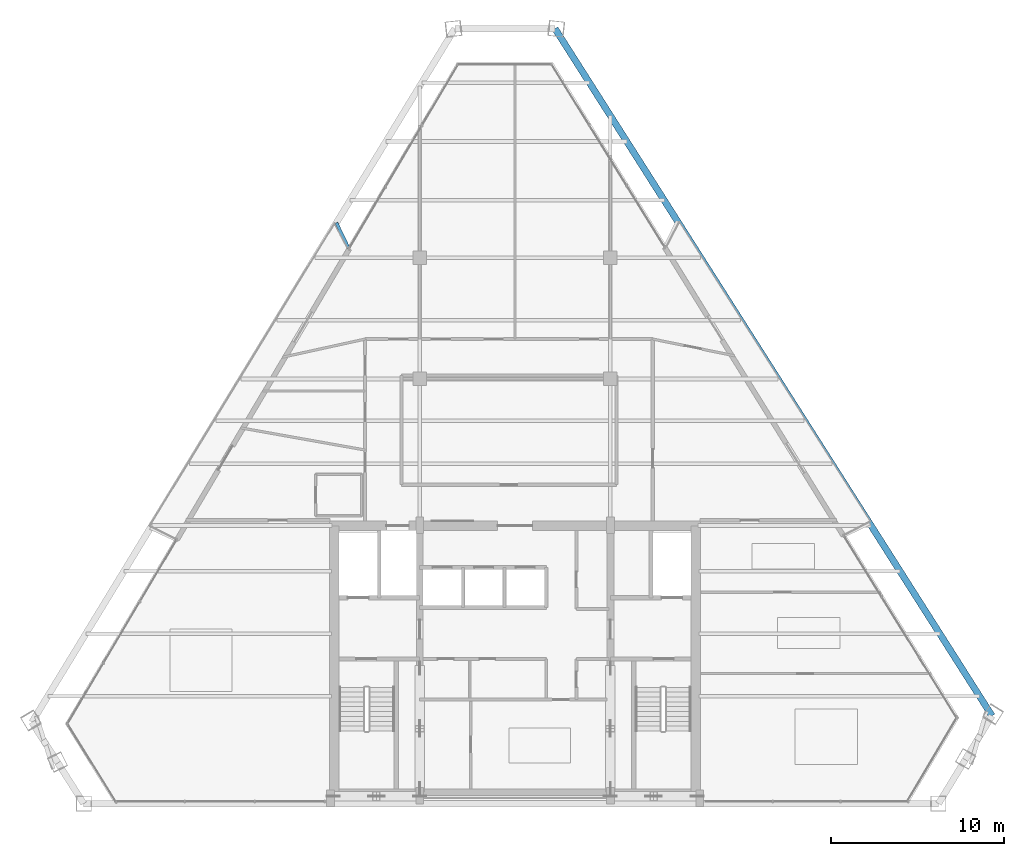
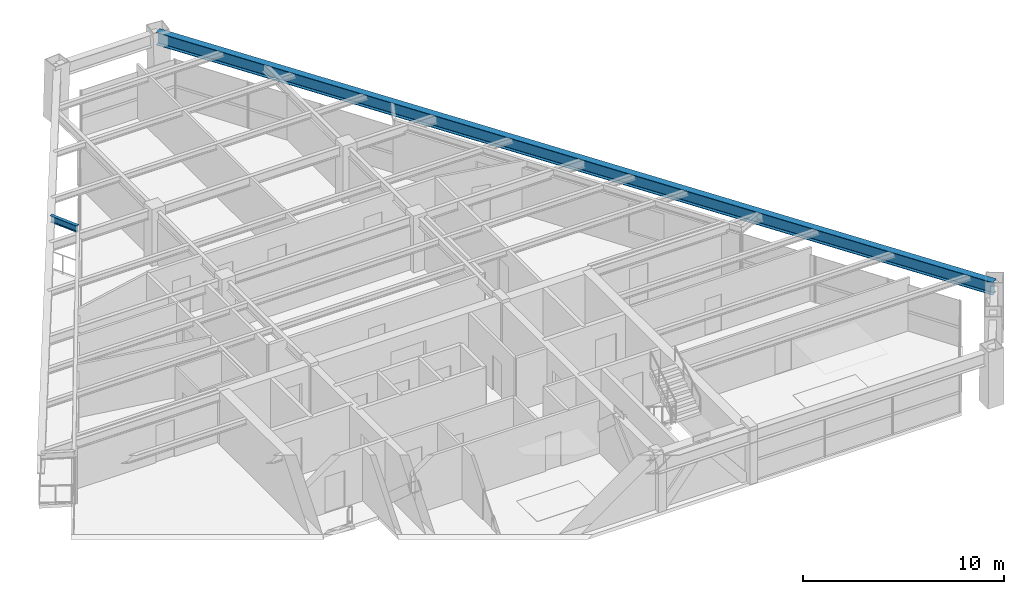
# One storey, part 5 of 12: 2 beams.
"""IFC4 building model written with IfcOpenShell, lengths in metres."""

from ifc_helpers import new_model, si_unit, direction, frame, origin, origin_2d, place, context, subcontext, project, spatial, i_section, extrude, source, transform, mapped, material, material_profile, profile_set, type_object, element, save


model = new_model("IFC4")

# Units and contexts
model_context = context("Model", 3, precision=1e-05, world=origin(), true_north=direction((0.0, 1.0)))
body_context = subcontext(model_context, "Body", "Model", "MODEL_VIEW")
ifc_project = project(units=[si_unit("LENGTHUNIT", "METRE"), si_unit("AREAUNIT", "SQUARE_METRE"), si_unit("VOLUMEUNIT", "CUBIC_METRE"), si_unit("PLANEANGLEUNIT", "RADIAN"), si_unit("MASSUNIT", "GRAM", prefix="KILO")], contexts=[model_context])

# Site, building, storey
site_placement = place(None, origin())
site = spatial("IfcSite", under=ifc_project, at=site_placement, CompositionType="ELEMENT")
building_placement = place(site_placement, origin())
building = spatial("IfcBuilding", under=site, at=building_placement, Name="Varnakhor Terracotta Tower", CompositionType="ELEMENT")
storey_placement = place(building_placement, frame((0.0, 0.0, 233.800048828125)))
storey = spatial("IfcBuildingStorey", under=building, at=storey_placement, Name="L60", CompositionType="ELEMENT", Elevation=233.800048828125)

# Beams
ifc_material = material(Name="Steel S355", Category="steel")
ifc_material_profile_1 = material_profile(ifc_material, i_section(OverallWidth=0.381103515625, OverallDepth=0.77294921875, WebThickness=0.01708984375, FlangeThickness=0.027099609375, FilletRadius=0.01806640625, at=origin_2d()), Name="W30X173")
ifc_profile_set_1 = profile_set([ifc_material_profile_1], Name="Steel S355")
beam_type_1 = type_object("IfcBeamType", Name="BM-W30X173", PredefinedType="BEAM", material=ifc_profile_set_1)
shared_shape_1 = source(origin(), body_context, "Body", "SweptSolid", [
    extrude(i_section(OverallWidth=0.381103515625, OverallDepth=0.77294921875, WebThickness=0.01708984375, FlangeThickness=0.027099609375, FilletRadius=0.01806640625, at=origin_2d()), origin(), (0.0, 0.0, 1.0), 46.984130859375),
])
beam_1_placement = place(storey_placement, frame((27.517333984375, 5.063232421875, 2.853515625), z_axis=(-0.536583615275, 0.843847156669, 0.0), x_axis=(-0.843847156669, -0.536583615275, 0.0)))
element("IfcBeam", 1, at=beam_1_placement, inside=storey, type_object=beam_type_1, Name="L60 Perimeter Spandrel 4", PredefinedType="BEAM", context=body_context, shape_type="MappedRepresentation", body=[
    mapped(shared_shape_1, transform((0.0, 0.0, 0.0), scale=1.0)),
])
ifc_material_profile_2 = material_profile(ifc_material, i_section(OverallWidth=0.179931640625, OverallDepth=0.39990234375, WebThickness=0.008544921875, FlangeThickness=0.013427734375, FilletRadius=0.01806640625, at=origin_2d()), Name="IPE400")
ifc_profile_set_2 = profile_set([ifc_material_profile_2], Name="Steel S355")
beam_type_2 = type_object("IfcBeamType", Name="JST-IPE400", PredefinedType="JOIST", material=ifc_profile_set_2)
shared_shape_2 = source(origin(), body_context, "Body", "SweptSolid", [
    extrude(i_section(OverallWidth=0.179931640625, OverallDepth=0.39990234375, WebThickness=0.008544921875, FlangeThickness=0.013427734375, FilletRadius=0.01806640625, at=origin_2d()), origin(), (0.0, 0.0, 1.0), 1.621337890625),
])
beam_2_placement = place(storey_placement, frame((-9.601318359375, 32.047607421875, 3.0400390625), z_axis=(-0.435612092268, 0.900134492768, 0.0), x_axis=(-0.900134492768, -0.435612092268, 0.0)))
element("IfcBeam", 2, at=beam_2_placement, inside=storey, type_object=beam_type_2, Name="L61 W Loggia Tie Beam 2", PredefinedType="JOIST", context=body_context, shape_type="MappedRepresentation", body=[
    mapped(shared_shape_2, transform((0.0, 0.0, 0.0), scale=1.0)),
])

save(model, "model.ifc")
